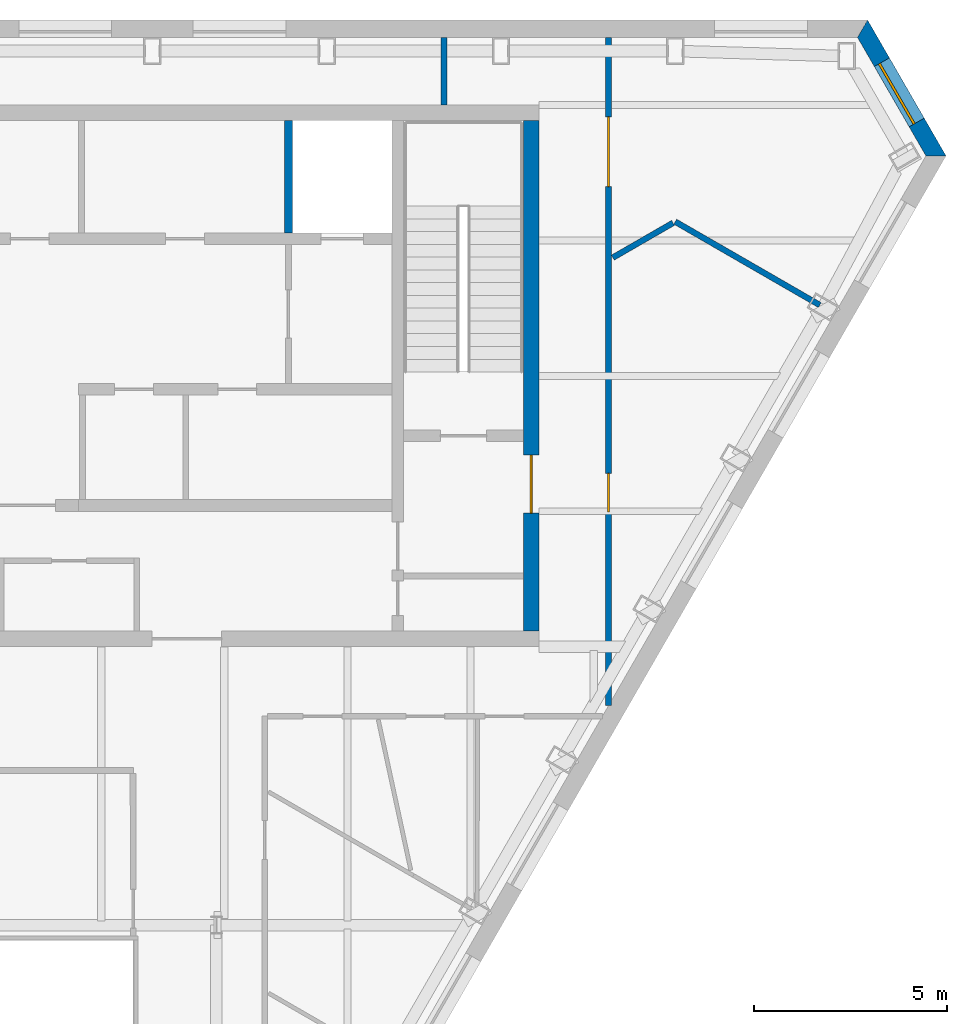
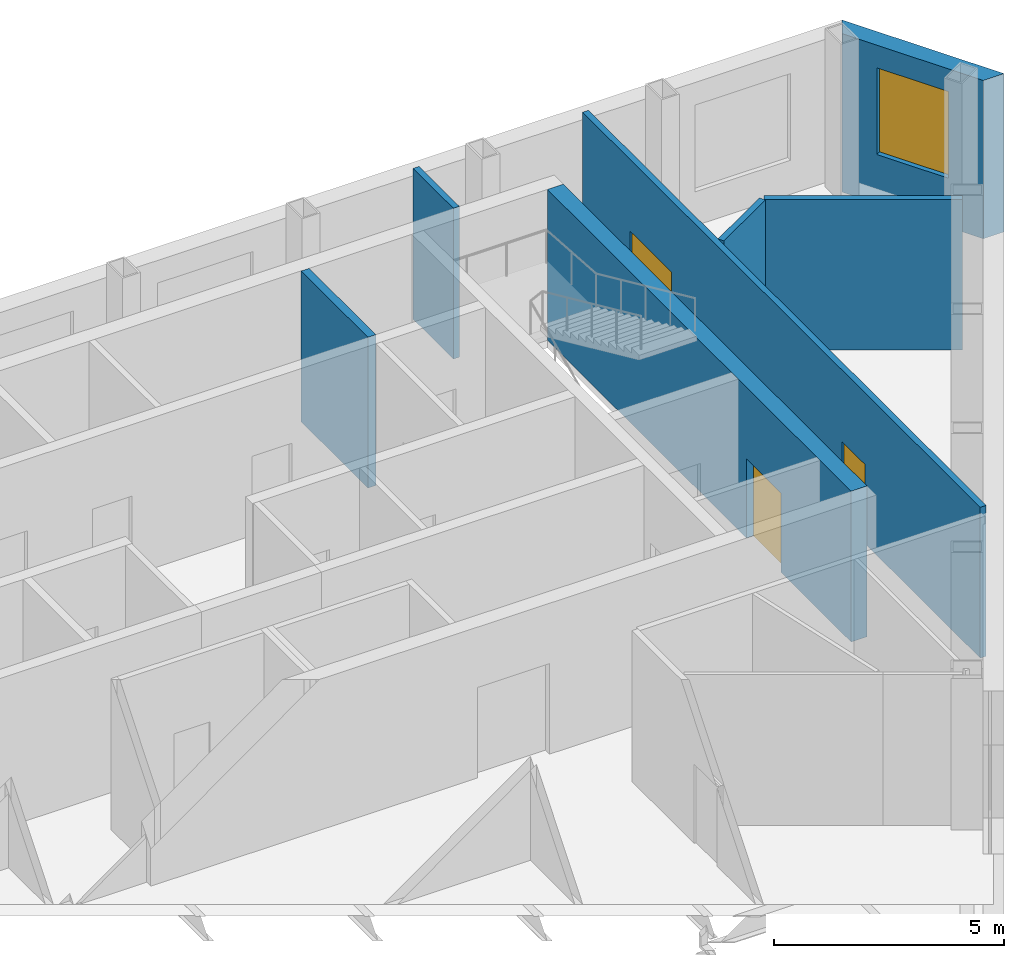
# One storey, part 7 of 10: 7 walls, 3 doors, 1 window, 4 openings.
"""IFC4 building model written with IfcOpenShell, lengths in metres."""

from ifc_helpers import new_model, si_unit, direction, frame, frame_2d, origin, place, context, subcontext, project, spatial, polyline, rectangle, outline, extrude, material, layer, layer_set, type_object, element, fill, save


model = new_model("IFC4")

# Units and contexts
model_context = context("Model", 3, precision=1e-05, world=origin(), true_north=direction((0.0, 1.0)))
body_context = subcontext(model_context, "Body", "Model", "MODEL_VIEW")
ifc_project = project(units=[si_unit("LENGTHUNIT", "METRE"), si_unit("AREAUNIT", "SQUARE_METRE"), si_unit("VOLUMEUNIT", "CUBIC_METRE"), si_unit("PLANEANGLEUNIT", "RADIAN"), si_unit("MASSUNIT", "GRAM", prefix="KILO")], contexts=[model_context])

# Site, building, storey
site_placement = place(None, origin())
site = spatial("IfcSite", under=ifc_project, at=site_placement, CompositionType="ELEMENT")
building_placement = place(site_placement, origin())
building = spatial("IfcBuilding", under=site, at=building_placement, Name="Njiva Tower", CompositionType="ELEMENT")
storey_placement = place(building_placement, frame((0.0, 0.0, 329.4)))
storey = spatial("IfcBuildingStorey", under=building, at=storey_placement, Name="L75", CompositionType="ELEMENT", Elevation=329.4)

# Wall, opening, door
ifc_material_1 = material(Name="Concrete C60/75", Category="concrete")
ifc_layer_1 = layer(ifc_material_1, 0.4)
ifc_layer_set_1 = layer_set([ifc_layer_1], Name="Concrete C60/75")
wall_type_1 = type_object("IfcWallType", Name="WT11 Core wall 400", PredefinedType="SHEAR", material=ifc_layer_set_1)
wall_1_placement = place(storey_placement, frame((14.3, 4.4, 0.0), z_axis=(0.0, 0.0, 1.0), x_axis=(0.0, 1.0, 0.0)))
wall_1 = element("IfcWall", 1, at=wall_1_placement, inside=storey, type_object=wall_type_1, Name="Core wall east", PredefinedType="SHEAR", context=body_context, shape_type="SweptSolid", body=[
    extrude(rectangle(XDim=13.2, YDim=0.4, at=frame_2d((6.6, 0.0))), origin(), (0.0, 0.0, 1.0), 4.0),
])
opening_1_placement = place(wall_1_placement, frame((3.05, 0.0, 0.0)))
opening_1 = element("IfcOpeningElement", 2, at=opening_1_placement, cuts=wall_1, Name="Opening S26-D922", PredefinedType="OPENING", context=body_context, shape_type="SweptSolid", body=[
    extrude(rectangle(XDim=1.5, YDim=2.1, at=frame_2d((0.75, 1.05))), frame((0.0, 0.21, 0.0), z_axis=(0.0, -1.0, 0.0), x_axis=(1.0, 0.0, 0.0)), (0.0, 0.0, 1.0), 0.42),
])
ifc_material_2 = material(Name="Glazed steel fire door", Category="steel")
door_type_1 = type_object("IfcDoorType", Name="D10 Exit door double 1500x2100 glazed", OperationType="DOUBLE_DOOR_SINGLE_SWING", PredefinedType="DOOR", material=ifc_material_2)
door_1_placement = place(opening_1_placement, origin())
door_1 = element("IfcDoor", 3, at=door_1_placement, inside=storey, type_object=door_type_1, Name="Stair B corridor door", OperationType="DOUBLE_DOOR_SINGLE_SWING", OverallHeight=2.1, OverallWidth=1.5, PredefinedType="DOOR", context=body_context, shape_type="SweptSolid", body=[
    extrude(rectangle(XDim=1.5, YDim=2.1, at=frame_2d((0.75, 1.05))), frame((0.0, 0.025, 0.0), z_axis=(0.0, -1.0, 0.0), x_axis=(1.0, 0.0, 0.0)), (0.0, 0.0, 1.0), 0.05),
])
fill(opening_1, door_1)

# Wall
ifc_material_3 = material(Name="Gypsum board on steel studs", Category="gypsum")
ifc_layer_2 = layer(ifc_material_3, 0.15)
ifc_layer_set_2 = layer_set([ifc_layer_2], Name="Gypsum board on steel studs")
wall_type_2 = type_object("IfcWallType", Name="WT21 Compartment wall 150", PredefinedType="PARTITIONING", material=ifc_layer_set_2)
wall_2_placement = place(storey_placement, frame((12.05, 18.0, 0.0), z_axis=(0.0, 0.0, 1.0), x_axis=(0.0, 1.0, 0.0)))
element("IfcWall", 4, at=wall_2_placement, inside=storey, type_object=wall_type_2, Name="Partition S26-P023", PredefinedType="PARTITIONING", context=body_context, shape_type="SweptSolid", body=[
    extrude(rectangle(XDim=1.75, YDim=0.15, at=frame_2d((0.875, 0.0))), origin(), (0.0, 0.0, 1.0), 4.0),
])

# Wall, openings, doors
wall_3_placement = place(storey_placement, frame((16.3, 2.472, 0.0), z_axis=(0.0, 0.0, 1.0), x_axis=(0.0, 1.0, 0.0)))
wall_3 = element("IfcWall", 5, at=wall_3_placement, inside=storey, type_object=wall_type_2, Name="Partition S26-P025", PredefinedType="PARTITIONING", context=body_context, shape_type="SweptSolid", body=[
    extrude(rectangle(XDim=17.276, YDim=0.15, at=frame_2d((8.638, 0.0))), origin(), (0.0, 0.0, 1.0), 4.0),
])
opening_2_placement = place(wall_3_placement, frame((5.01, 0.0, 0.0)))
opening_2 = element("IfcOpeningElement", 6, at=opening_2_placement, cuts=wall_3, Name="Opening S26-D018", PredefinedType="OPENING", context=body_context, shape_type="SweptSolid", body=[
    extrude(rectangle(XDim=1.0, YDim=2.1, at=frame_2d((0.5, 1.05))), frame((0.0, 0.085, 0.0), z_axis=(0.0, -1.0, 0.0), x_axis=(1.0, 0.0, 0.0)), (0.0, 0.0, 1.0), 0.17),
])
opening_3_placement = place(wall_3_placement, frame((13.423, 0.0, 0.0)))
opening_3 = element("IfcOpeningElement", 7, at=opening_3_placement, cuts=wall_3, Name="Opening S26-D019", PredefinedType="OPENING", context=body_context, shape_type="SweptSolid", body=[
    extrude(rectangle(XDim=1.8, YDim=2.1, at=frame_2d((0.9, 1.05))), frame((0.0, 0.085, 0.0), z_axis=(0.0, -1.0, 0.0), x_axis=(1.0, 0.0, 0.0)), (0.0, 0.0, 1.0), 0.17),
])
ifc_material_4 = material(Name="Steel fire door set", Category="steel")
door_type_2 = type_object("IfcDoorType", Name="D37 Fire door 1000x2100", OperationType="SINGLE_SWING_LEFT", PredefinedType="DOOR", material=ifc_material_4)
door_2_placement = place(opening_2_placement, origin())
door_2 = element("IfcDoor", 8, at=door_2_placement, inside=storey, type_object=door_type_2, Name="Door S26-D018", OperationType="SINGLE_SWING_LEFT", OverallHeight=2.1, OverallWidth=1.0, PredefinedType="DOOR", context=body_context, shape_type="SweptSolid", body=[
    extrude(rectangle(XDim=1.0, YDim=2.1, at=frame_2d((0.5, 1.05))), frame((0.0, 0.025, 0.0), z_axis=(0.0, -1.0, 0.0), x_axis=(1.0, 0.0, 0.0)), (0.0, 0.0, 1.0), 0.05),
])
fill(opening_2, door_2)
door_type_3 = type_object("IfcDoorType", Name="D38 Fire door 1800x2100", OperationType="DOUBLE_DOOR_SINGLE_SWING", PredefinedType="DOOR", material=ifc_material_4)
door_3_placement = place(opening_3_placement, origin())
door_3 = element("IfcDoor", 9, at=door_3_placement, inside=storey, type_object=door_type_3, Name="Door S26-D019", OperationType="DOUBLE_DOOR_SINGLE_SWING", OverallHeight=2.1, OverallWidth=1.8, PredefinedType="DOOR", context=body_context, shape_type="SweptSolid", body=[
    extrude(rectangle(XDim=1.8, YDim=2.1, at=frame_2d((0.9, 1.05))), frame((0.0, 0.025, 0.0), z_axis=(0.0, -1.0, 0.0), x_axis=(1.0, 0.0, 0.0)), (0.0, 0.0, 1.0), 0.05),
])
fill(opening_3, door_3)

# Walls
wall_4_placement = place(storey_placement, frame((16.412, 14.058, 0.0), z_axis=(0.0, 0.0, 1.0), x_axis=(0.866250415226, 0.499610066072, 0.0)))
element("IfcWall", 10, at=wall_4_placement, inside=storey, type_object=wall_type_2, Name="Partition S26-P026", PredefinedType="PARTITIONING", context=body_context, shape_type="SweptSolid", body=[
    extrude(rectangle(XDim=1.7974, YDim=0.15, at=frame_2d((0.8987, 0.0))), origin(), (0.0, 0.0, 1.0), 4.0),
])
wall_5_placement = place(storey_placement, frame((18.026, 14.987, 0.0), z_axis=(0.0, 0.0, 1.0), x_axis=(0.866224183696, -0.499655544932, 0.0)))
element("IfcWall", 11, at=wall_5_placement, inside=storey, type_object=wall_type_2, Name="Partition S26-P027", PredefinedType="PARTITIONING", context=body_context, shape_type="SweptSolid", body=[
    extrude(rectangle(XDim=4.313, YDim=0.15, at=frame_2d((2.1565, 0.0))), origin(), (0.0, 0.0, 1.0), 4.0),
])
ifc_material_5 = material(Name="Concrete C40/50", Category="concrete")
ifc_layer_3 = layer(ifc_material_5, 0.2)
ifc_layer_set_3 = layer_set([ifc_layer_3], Name="Concrete C40/50")
wall_type_3 = type_object("IfcWallType", Name="WT6 Lift shaft wall 200", PredefinedType="SHEAR", material=ifc_layer_set_3)
wall_6_placement = place(storey_placement, frame((8.025, 14.7, 0.0), z_axis=(0.0, 0.0, 1.0), x_axis=(0.0, 1.0, 0.0)))
element("IfcWall", 12, at=wall_6_placement, inside=storey, type_object=wall_type_3, Name="Shaft wall CN7", PredefinedType="SHEAR", context=body_context, shape_type="SweptSolid", body=[
    extrude(rectangle(XDim=2.9, YDim=0.2, at=frame_2d((1.45, 0.0))), origin(), (0.0, 0.0, 1.0), 4.0),
])

# Wall, opening, window
ifc_material_6 = material(Name="Brick masonry, buff", Category="masonry")
ifc_layer_4 = layer(ifc_material_6, 0.45)
ifc_layer_set_4 = layer_set([ifc_layer_4], Name="Brick masonry, buff")
wall_type_4 = type_object("IfcWallType", Name="WT94 Brick pier and spandrel wall 450, buff", PredefinedType="SOLIDWALL", material=ifc_layer_set_4)
wall_7_placement = place(storey_placement, frame((24.7689, 16.6861, -0.4), z_axis=(0.0, 0.0, 1.0), x_axis=(-0.499996551991, 0.866027394484, 0.0)))
wall_7 = element("IfcWall", 13, at=wall_7_placement, inside=storey, type_object=wall_type_4, Name="Facade wall NE", PredefinedType="SOLIDWALL", context=body_context, shape_type="SweptSolid", body=[
    extrude(outline(polyline([(-0.1299, -0.225), (3.9301, -0.225), (3.6703, 0.225), (0.1299, 0.225), (-0.1299, -0.225)])), origin(), (0.0, 0.0, 1.0), 4.2),
])
opening_4_placement = place(wall_7_placement, frame((1.0001, 0.0, 1.3)))
opening_4 = element("IfcOpeningElement", 14, at=opening_4_placement, cuts=wall_7, Name="Opening S26-W26", PredefinedType="OPENING", context=body_context, shape_type="SweptSolid", body=[
    extrude(rectangle(XDim=1.8, YDim=2.3, at=frame_2d((0.9, 1.15))), frame((0.0, 0.235, 0.0), z_axis=(0.0, -1.0, 0.0), x_axis=(1.0, 0.0, 0.0)), (0.0, 0.0, 1.0), 0.47),
])
ifc_material_7 = material(Name="Clear glazing in aluminium frame", Category="aluminium")
window_type = type_object("IfcWindowType", Name="W95 Deep-set window 1800x2300", PartitioningType="SINGLE_PANEL", PredefinedType="WINDOW", material=ifc_material_7)
window_placement = place(opening_4_placement, origin())
window = element("IfcWindow", 15, at=window_placement, inside=storey, type_object=window_type, Name="Window", OverallHeight=2.3, OverallWidth=1.8, PartitioningType="SINGLE_PANEL", PredefinedType="WINDOW", context=body_context, shape_type="SweptSolid", body=[
    extrude(rectangle(XDim=1.8, YDim=2.3, at=frame_2d((0.9, 1.15))), frame((0.0, 0.105, 0.0), z_axis=(0.0, -1.0, 0.0), x_axis=(1.0, 0.0, 0.0)), (0.0, 0.0, 1.0), 0.06),
])
fill(opening_4, window)

save(model, "model.ifc")
